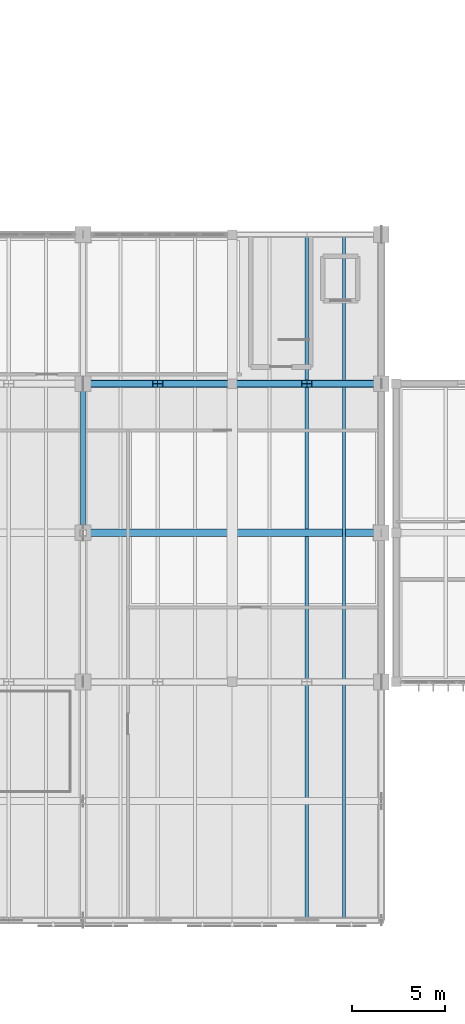
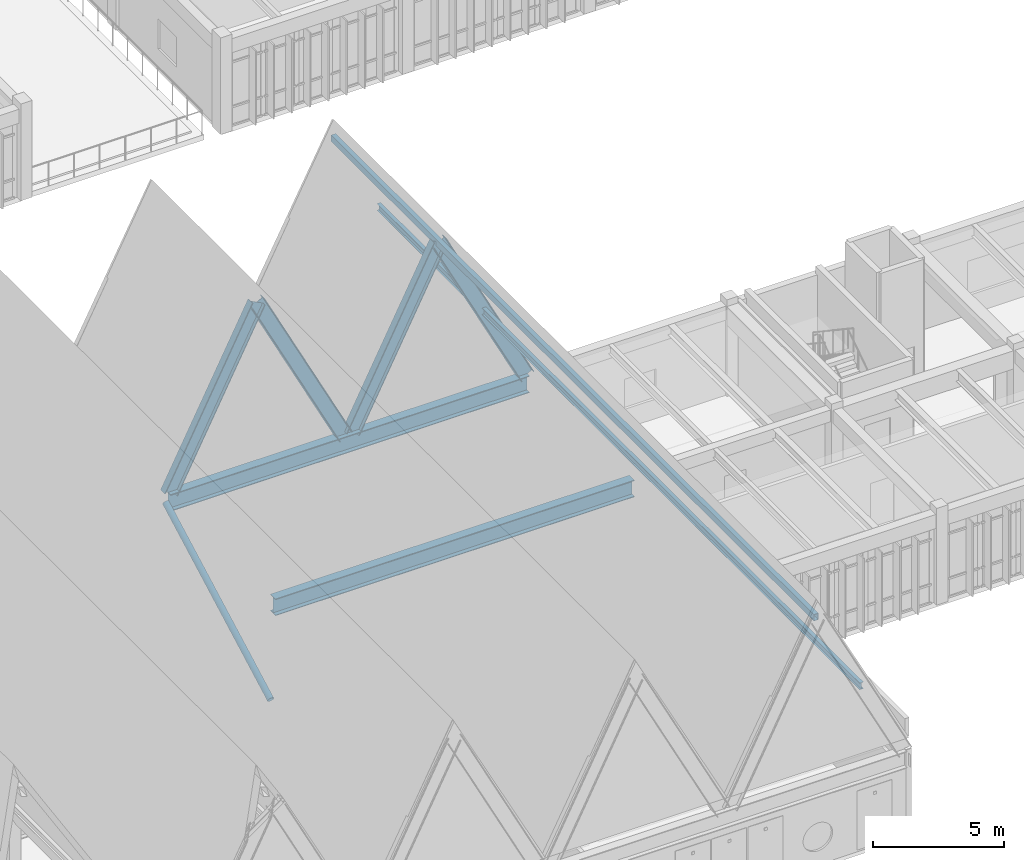
# One storey, part 14 of 72: 7 members, 2 beams.
"""IFC4 building model written with IfcOpenShell, lengths in metres."""

from ifc_helpers import new_model, si_unit, direction, frame, origin, origin_2d, place, context, subcontext, project, spatial, hollow_rectangle, hollow_circle, i_section, extrude, material, material_profile, profile_set, type_object, element, save


model = new_model("IFC4")

# Units and contexts
model_context = context("Model", 3, precision=1e-05, world=origin(), true_north=direction((0.0, 1.0)))
body_context = subcontext(model_context, "Body", "Model", "MODEL_VIEW")
ifc_project = project(units=[si_unit("LENGTHUNIT", "METRE"), si_unit("AREAUNIT", "SQUARE_METRE"), si_unit("VOLUMEUNIT", "CUBIC_METRE"), si_unit("PLANEANGLEUNIT", "RADIAN"), si_unit("MASSUNIT", "GRAM", prefix="KILO")], contexts=[model_context])

# Site, building, storey
site_placement = place(None, origin())
site = spatial("IfcSite", under=ifc_project, at=site_placement, CompositionType="ELEMENT")
building_placement = place(site_placement, origin())
building = spatial("IfcBuilding", under=site, at=building_placement, Name="Tlaxcora Railside Police Headquarters", CompositionType="ELEMENT")
storey_placement = place(building_placement, frame((0.0, 0.0, 13.5)))
storey = spatial("IfcBuildingStorey", under=building, at=storey_placement, Name="L03", CompositionType="ELEMENT", Elevation=13.5)

# Member
ifc_material = material(Name="Steel ASTM A992 Grade 50", Category="steel")
ifc_material_profile_1 = material_profile(ifc_material, hollow_circle(Radius=0.136474609375, WallThickness=0.011962890625, at=origin_2d()), Name="CHS273X12")
ifc_profile_set_1 = profile_set([ifc_material_profile_1], Name="Steel ASTM A992 Grade 50")
member_type_1 = type_object("IfcMemberType", Name="Diagonal Brace Member MB-16", PredefinedType="BRACE", material=ifc_profile_set_1)
member_1_placement = place(storey_placement, frame((86.0, 52.0, 3.52001953125), z_axis=(0.0, -0.879902254176, -0.475154735951), x_axis=(1.0, 0.0, 0.0)))
element("IfcMember", 1, at=member_1_placement, inside=storey, type_object=member_type_1, Name="Truss TR-3 L03 web diagonal 2", PredefinedType="BRACE", context=body_context, shape_type="SweptSolid", body=[
    extrude(hollow_circle(Radius=0.136474609375, WallThickness=0.011962890625, at=origin_2d()), origin(), (0.0, 0.0, 1.0), 9.092041015625),
])

# Beams
ifc_material_profile_2 = material_profile(ifc_material, i_section(OverallWidth=0.384033203125, OverallDepth=0.784912109375, WebThickness=0.019775390625, FlangeThickness=0.033447265625, at=origin_2d()), Name="W30X211")
ifc_profile_set_2 = profile_set([ifc_material_profile_2], Name="Steel ASTM A992 Grade 50")
beam_type = type_object("IfcBeamType", Name="Primary Frame Girder BM-53", PredefinedType="BEAM", material=ifc_profile_set_2)
for number, where, z_axis, x_axis, name in (
    (2, (86.10009765625, 52.0, 3.5673828125), (1.0, 0.0, 0.0), (0.0, 1.0, 0.0), "Sawtooth roof tie girder Y=52.0"),
    (3, (86.10009765625, 44.0, 3.5673828125), (1.0, 0.0, 0.0), (0.0, 1.0, 0.0), "Sawtooth roof tie girder Y=44.0"),
):
    element("IfcBeam", number, at=place(storey_placement, frame(where, z_axis=z_axis, x_axis=x_axis)), inside=storey, type_object=beam_type, Name=name, PredefinedType="BEAM", context=body_context, shape_type="SweptSolid", body=[
        extrude(i_section(OverallWidth=0.384033203125, OverallDepth=0.784912109375, WebThickness=0.019775390625, FlangeThickness=0.033447265625, at=origin_2d()), origin(), (0.0, 0.0, 1.0), 15.7998046875),
    ])

# Members
ifc_material_profile_3 = material_profile(ifc_material, hollow_rectangle(XDim=0.199951171875, YDim=0.300048828125, WallThickness=0.010009765625, at=origin_2d()), Name="HSS300X200X10")
ifc_profile_set_3 = profile_set([ifc_material_profile_3], Name="Steel ASTM A992 Grade 50")
member_type_2 = type_object("IfcMemberType", Name="Roof Purlin Member MB-11", PredefinedType="PURLIN", material=ifc_profile_set_3)
member_2_placement = place(storey_placement, frame((98.0, 23.199951171875, 11.449951171875), z_axis=(0.0, 1.0, 0.0), x_axis=(-1.0, 0.0, 0.0)))
element("IfcMember", 4, at=member_2_placement, inside=storey, type_object=member_type_2, Name="Sawtooth gable 7 ridge purlin", PredefinedType="PURLIN", context=body_context, shape_type="SweptSolid", body=[
    extrude(hollow_rectangle(XDim=0.199951171875, YDim=0.300048828125, WallThickness=0.010009765625, at=origin_2d()), origin(), (0.0, 0.0, 1.0), 36.800048828125),
])
ifc_material_profile_4 = material_profile(ifc_material, i_section(OverallWidth=0.1650390625, OverallDepth=0.31005859375, WebThickness=0.005859375, FlangeThickness=0.009765625, at=origin_2d()), Name="W12X26")
ifc_profile_set_4 = profile_set([ifc_material_profile_4], Name="Steel ASTM A992 Grade 50")
member_type_3 = type_object("IfcMemberType", Name="Roof Purlin Member MB-98", PredefinedType="PURLIN", material=ifc_profile_set_4)
member_3_placement = place(storey_placement, frame((100.0, 23.199951171875, 7.550048828125), z_axis=(0.0, 1.0, 0.0), x_axis=(-1.0, 0.0, 0.0)))
element("IfcMember", 5, at=member_3_placement, inside=storey, type_object=member_type_3, Name="Sawtooth gable 7 east purlin", PredefinedType="PURLIN", context=body_context, shape_type="SweptSolid", body=[
    extrude(i_section(OverallWidth=0.1650390625, OverallDepth=0.31005859375, WebThickness=0.005859375, FlangeThickness=0.009765625, at=origin_2d()), origin(), (0.0, 0.0, 1.0), 36.800048828125),
])
ifc_material_profile_5 = material_profile(ifc_material, i_section(OverallWidth=0.3291015625, OverallDepth=0.635009765625, WebThickness=0.017822265625, FlangeThickness=0.031005859375, at=origin_2d()), Name="W24X162")
ifc_profile_set_5 = profile_set([ifc_material_profile_5], Name="Steel ASTM A992 Grade 50")
member_type_4 = type_object("IfcMemberType", Name="Truss Chord Member MB-35", PredefinedType="CHORD", material=ifc_profile_set_5)
for number, where, z_axis, x_axis, name in (
    (6, (86.14990234375, 52.0, 3.919921875), (0.455243807773, 0.0, 0.890366820745), (0.0, 1.0, 0.0), "Sawtooth rafter 6W Y=52.0"),
    (7, (93.85009765625, 52.0, 3.919921875), (-0.455243807773, 0.0, 0.890366820745), (0.0, -1.0, 0.0), "Sawtooth rafter 6E Y=52.0"),
    (8, (94.14990234375, 52.0, 3.919921875), (0.455243807773, 0.0, 0.890366820745), (0.0, 1.0, 0.0), "Sawtooth rafter 7W Y=52.0"),
    (9, (101.85009765625, 52.0, 3.919921875), (-0.455243807773, 0.0, 0.890366820745), (0.0, -1.0, 0.0), "Sawtooth rafter 7E Y=52.0"),
):
    element("IfcMember", number, at=place(storey_placement, frame(where, z_axis=z_axis, x_axis=x_axis)), inside=storey, type_object=member_type_4, Name=name, PredefinedType="CHORD", context=body_context, shape_type="SweptSolid", body=[
        extrude(i_section(OverallWidth=0.3291015625, OverallDepth=0.635009765625, WebThickness=0.017822265625, FlangeThickness=0.031005859375, at=origin_2d()), origin(), (0.0, 0.0, 1.0), 8.457275390625),
    ])

save(model, "model.ifc")
